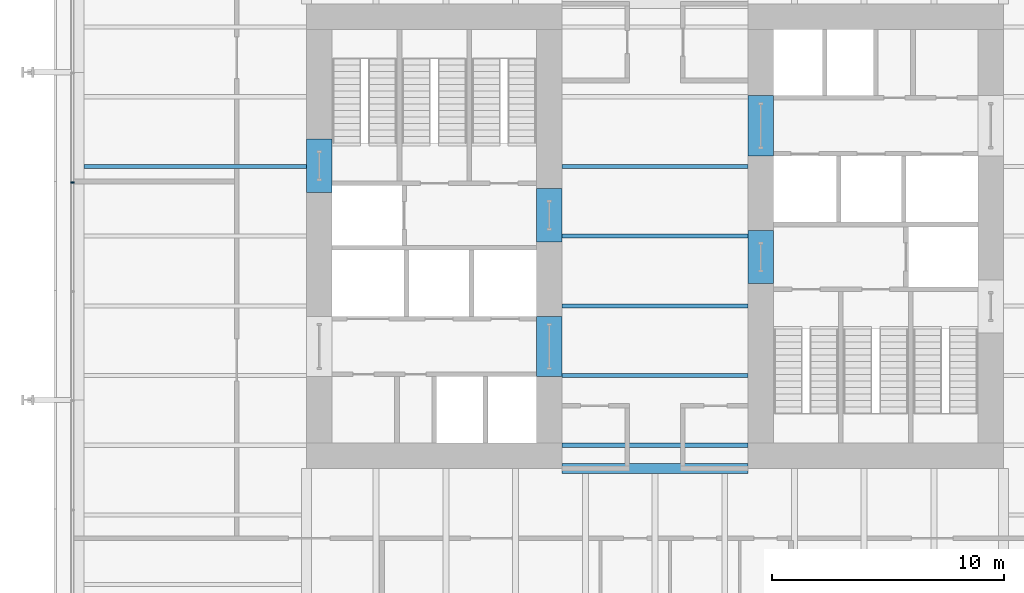
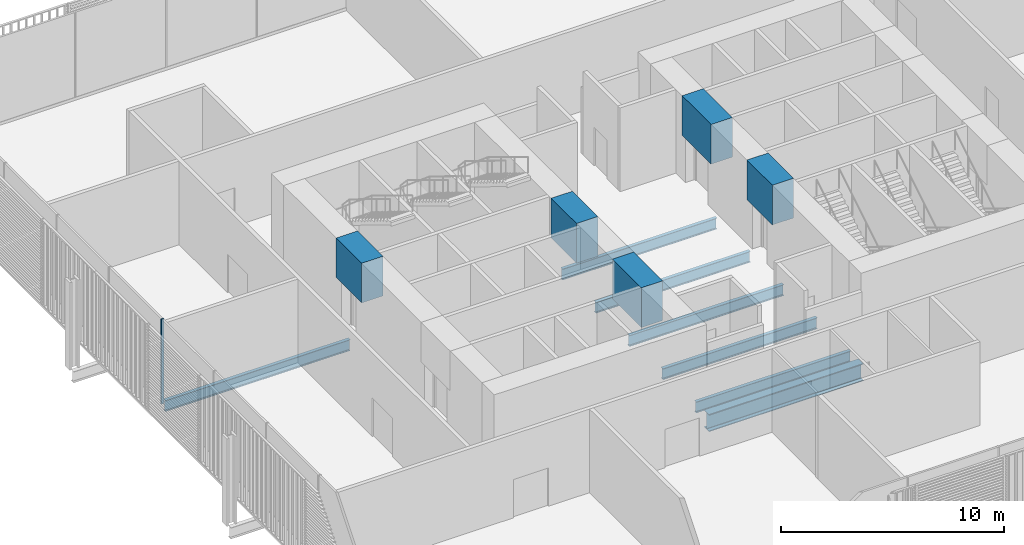
# One storey, part 7 of 22: 12 beams, 1 member, 1 element without a shape of its own.
"""IFC4 building model written with IfcOpenShell, lengths in metres."""

from ifc_helpers import new_model, si_unit, direction, frame, origin, origin_2d, place, context, subcontext, project, spatial, rectangle, i_section, extrude, material, layer, layer_set, material_profile, profile_set, type_object, element, aggregate, save


model = new_model("IFC4")

# Units and contexts
model_context = context("Model", 3, precision=1e-05, world=origin(), true_north=direction((0.0, 1.0)))
body_context = subcontext(model_context, "Body", "Model", "MODEL_VIEW")
ifc_project = project(units=[si_unit("LENGTHUNIT", "METRE"), si_unit("AREAUNIT", "SQUARE_METRE"), si_unit("VOLUMEUNIT", "CUBIC_METRE"), si_unit("PLANEANGLEUNIT", "RADIAN"), si_unit("MASSUNIT", "GRAM", prefix="KILO")], contexts=[model_context])

# Site, building, storey
site_placement = place(None, origin())
site = spatial("IfcSite", under=ifc_project, at=site_placement, CompositionType="ELEMENT")
building_placement = place(site_placement, origin())
building = spatial("IfcBuilding", under=site, at=building_placement, Name="Millrace Tower", CompositionType="ELEMENT")
storey_placement = place(building_placement, frame((0.0, 0.0, 25.699951171875)))
storey = spatial("IfcBuildingStorey", under=building, at=storey_placement, Name="L06", CompositionType="ELEMENT", Elevation=25.699951171875)

# Curtain wall, member
ifc_material_1 = material(Name="Aluminium and glass", Category="aluminium")
ifc_layer = layer(ifc_material_1, 0.14990234375)
ifc_layer_set = layer_set([ifc_layer], Name="Aluminium and glass")
curtain_wall_type = type_object("IfcCurtainWallType", Name="CW-2 data hall insulated curtain wall", PredefinedType="NOTDEFINED", material=ifc_layer_set)
curtain_wall_placement = place(storey_placement, origin())
curtain_wall = element("IfcCurtainWall", 1, at=curtain_wall_placement, inside=storey, type_object=curtain_wall_type, Name="Curtain wall A-F08 L06", PredefinedType="NOTDEFINED")
ifc_material_2 = material(Name="Aluminium", Category="aluminium")
ifc_material_profile_1 = material_profile(ifc_material_2, rectangle(XDim=0.06494140625, YDim=0.14990234375, at=origin_2d()))
ifc_profile_set_1 = profile_set([ifc_material_profile_1], Name="Aluminium")
member_type = type_object("IfcMemberType", Name="CW-2 data hall insulated curtain wall mullion", PredefinedType="MULLION", material=ifc_profile_set_1)
member_placement = place(storey_placement, frame((-25.074951171875, 2.3173828125, 0.16015625), z_axis=(0.0, 0.0, 1.0), x_axis=(0.0, -1.0, 0.0)))
member = element("IfcMember", 2, at=member_placement, type_object=member_type, Name="CW2 mullion A-F08.5", PredefinedType="MULLION", context=body_context, shape_type="SweptSolid", body=[
    extrude(rectangle(XDim=0.06494140625, YDim=0.14990234375, at=origin_2d()), origin(), (0.0, 0.0, 1.0), 4.639892578125),
])
aggregate(curtain_wall, [member])

# Beams
ifc_material_3 = material(Name="Concrete C80", Category="concrete")
ifc_material_profile_2 = material_profile(ifc_material_3, rectangle(XDim=1.10009765625, YDim=2.175048828125, at=origin_2d()))
ifc_profile_set_2 = profile_set([ifc_material_profile_2], Name="Concrete C80")
beam_type_1 = type_object("IfcBeamType", Name="Coupling beam 1100 x 2175 Concrete C80, 1300 opening", PredefinedType="BEAM", material=ifc_profile_set_2)
beam_1_placement = place(storey_placement, frame((-14.449951171875, 1.88818359375, 3.487548828125), z_axis=(0.0, 1.0, 0.0), x_axis=(-1.0, 0.0, 0.0)))
element("IfcBeam", 3, at=beam_1_placement, inside=storey, type_object=beam_type_1, Name="Coupling beam W L06", PredefinedType="BEAM", context=body_context, shape_type="SweptSolid", body=[
    extrude(rectangle(XDim=1.10009765625, YDim=2.175048828125, at=origin_2d()), origin(), (0.0, 0.0, 1.0), 2.28369140625),
])
for number, where, z_axis, x_axis, name in (
    (4, (-4.550048828125, -0.241943359375, 3.487548828125), (0.0, 1.0, 0.0), (-1.0, 0.0, 0.0), "Coupling beam W L06"),
    (5, (4.550048828125, 0.241943359375, 3.487548828125), (0.0, -1.0, 0.0), (1.0, 0.0, 0.0), "Coupling beam E L06"),
):
    element("IfcBeam", number, at=place(storey_placement, frame(where, z_axis=z_axis, x_axis=x_axis)), inside=storey, type_object=beam_type_1, Name=name, PredefinedType="BEAM", context=body_context, shape_type="SweptSolid", body=[
        extrude(rectangle(XDim=1.10009765625, YDim=2.175048828125, at=origin_2d()), origin(), (0.0, 0.0, 1.0), 2.283935546875),
    ])
ifc_material_4 = material(Name="Concrete C80", Category="concrete")
ifc_material_profile_3 = material_profile(ifc_material_4, rectangle(XDim=1.10009765625, YDim=2.175048828125, at=origin_2d()))
ifc_profile_set_3 = profile_set([ifc_material_profile_3], Name="Concrete C80")
beam_type_2 = type_object("IfcBeamType", Name="Coupling beam 1100 x 2175 Concrete C80, 2000 opening", PredefinedType="BEAM", material=ifc_profile_set_3)
for number, where, z_axis, x_axis, name in (
    (6, (-4.550048828125, -6.050048828125, 3.487548828125), (0.0, 1.0, 0.0), (-1.0, 0.0, 0.0), "Coupling beam W L06"),
    (7, (4.550048828125, 6.050048828125, 3.487548828125), (0.0, -1.0, 0.0), (1.0, 0.0, 0.0), "Coupling beam E L06"),
):
    element("IfcBeam", number, at=place(storey_placement, frame(where, z_axis=z_axis, x_axis=x_axis)), inside=storey, type_object=beam_type_2, Name=name, PredefinedType="BEAM", context=body_context, shape_type="SweptSolid", body=[
        extrude(rectangle(XDim=1.10009765625, YDim=2.175048828125, at=origin_2d()), origin(), (0.0, 0.0, 1.0), 2.60009765625),
    ])
ifc_material_5 = material(Name="Steel ASTM A992 Grade 50", Category="steel")
ifc_material_profile_4 = material_profile(ifc_material_5, i_section(OverallWidth=0.177978515625, OverallDepth=0.599365234375, WebThickness=0.010009765625, FlangeThickness=0.012939453125, FilletRadius=0.012939453125, at=origin_2d()))
ifc_profile_set_4 = profile_set([ifc_material_profile_4], Name="Steel ASTM A992 Grade 50")
beam_type_3 = type_object("IfcBeamType", Name="Floor beam W24x55", PredefinedType="JOIST", material=ifc_profile_set_4)
for number, where, z_axis, x_axis, name in (
    (8, (-4.0, -9.0, -0.524658203125), (1.0, 0.0, 0.0), (0.0, 1.0, 0.0), "BM-A-L06-S1-S011"),
    (9, (-4.0, -6.0, -0.524658203125), (1.0, 0.0, 0.0), (0.0, 1.0, 0.0), "BM-A-L06-S1-S014"),
    (10, (-4.0, -3.0, -0.524658203125), (1.0, 0.0, 0.0), (0.0, 1.0, 0.0), "BM-A-L06-S1-S017"),
    (11, (-4.0, 0.0, -0.524658203125), (1.0, 0.0, 0.0), (0.0, 1.0, 0.0), "BM-A-L06-S1-S020"),
    (12, (-4.0, 3.0, -0.524658203125), (1.0, 0.0, 0.0), (0.0, 1.0, 0.0), "BM-A-L06-S1-S023"),
):
    element("IfcBeam", number, at=place(storey_placement, frame(where, z_axis=z_axis, x_axis=x_axis)), inside=storey, type_object=beam_type_3, Name=name, PredefinedType="JOIST", context=body_context, shape_type="SweptSolid", body=[
        extrude(i_section(OverallWidth=0.177978515625, OverallDepth=0.599365234375, WebThickness=0.010009765625, FlangeThickness=0.012939453125, FilletRadius=0.012939453125, at=origin_2d()), origin(), (0.0, 0.0, 1.0), 8.0),
    ])
ifc_material_6 = material(Name="Steel ASTM A992 Grade 50", Category="steel")
ifc_material_profile_5 = material_profile(ifc_material_6, i_section(OverallWidth=0.1787109375, OverallDepth=0.60205078125, WebThickness=0.010986328125, FlangeThickness=0.014892578125, FilletRadius=0.0126953125, at=origin_2d()))
ifc_profile_set_5 = profile_set([ifc_material_profile_5], Name="Steel ASTM A992 Grade 50")
beam_type_4 = type_object("IfcBeamType", Name="Floor beam W24x62", PredefinedType="JOIST", material=ifc_profile_set_5)
beam_2_placement = place(storey_placement, frame((-24.578369140625, 3.0, -0.52587890625), z_axis=(1.0, 0.0, 0.0), x_axis=(0.0, 1.0, 0.0)))
element("IfcBeam", 13, at=beam_2_placement, inside=storey, type_object=beam_type_4, Name="BM-A-L06-S1-S024", PredefinedType="JOIST", context=body_context, shape_type="SweptSolid", body=[
    extrude(i_section(OverallWidth=0.1787109375, OverallDepth=0.60205078125, WebThickness=0.010986328125, FlangeThickness=0.014892578125, FilletRadius=0.0126953125, at=origin_2d()), origin(), (0.0, 0.0, 1.0), 9.578369140625),
])
ifc_material_7 = material(Name="Steel ASTM A992 Grade 50", Category="steel")
ifc_material_profile_6 = material_profile(ifc_material_7, i_section(OverallWidth=0.424072265625, OverallDepth=0.947509765625, WebThickness=0.02392578125, FlangeThickness=0.042724609375, FilletRadius=0.024169921875, at=origin_2d()))
ifc_profile_set_6 = profile_set([ifc_material_profile_6], Name="Steel ASTM A992 Grade 50")
beam_type_5 = type_object("IfcBeamType", Name="Girder short span W36x302", PredefinedType="BEAM", material=ifc_profile_set_6)
beam_3_placement = place(storey_placement, frame((-4.0, -10.0, -0.69873046875), z_axis=(1.0, 0.0, 0.0), x_axis=(0.0, 1.0, 0.0)))
element("IfcBeam", 14, at=beam_3_placement, inside=storey, type_object=beam_type_5, Name="BM-A-L06-S1-G065", PredefinedType="BEAM", context=body_context, shape_type="SweptSolid", body=[
    extrude(i_section(OverallWidth=0.424072265625, OverallDepth=0.947509765625, WebThickness=0.02392578125, FlangeThickness=0.042724609375, FilletRadius=0.024169921875, at=origin_2d()), origin(), (0.0, 0.0, 1.0), 8.0),
])

save(model, "model.ifc")
